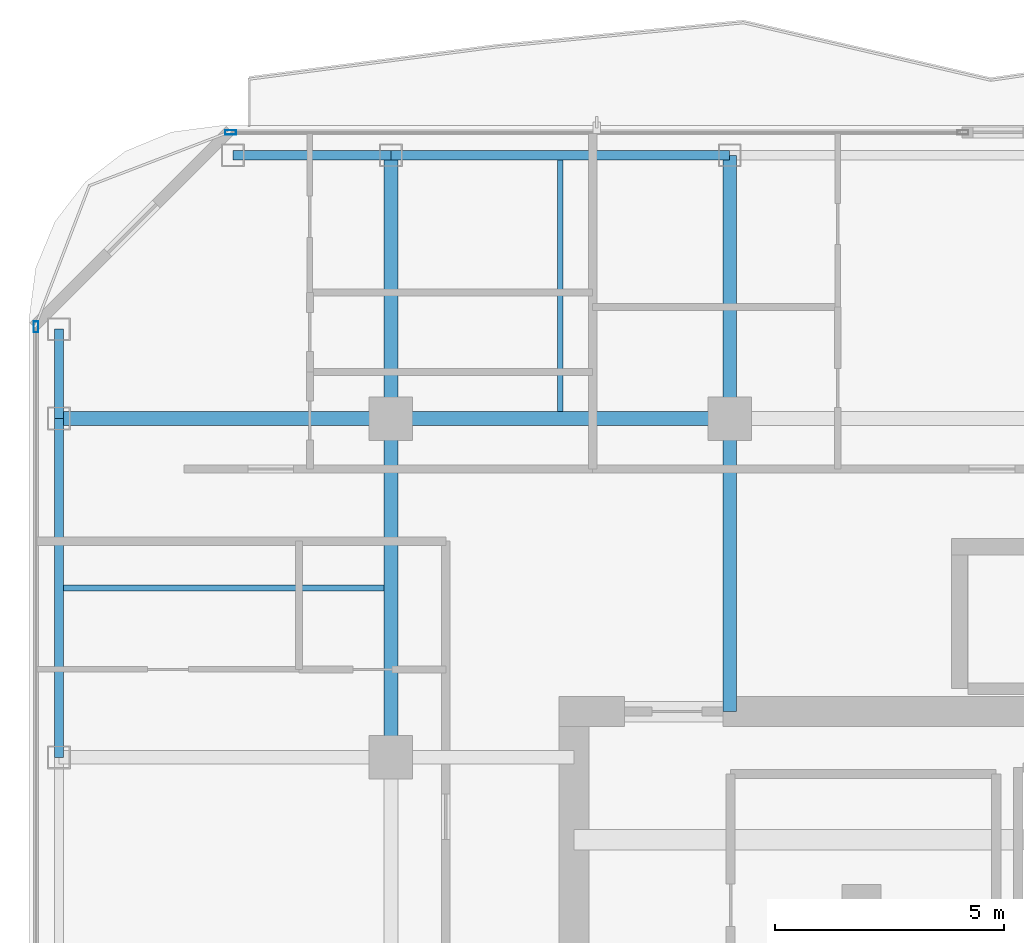
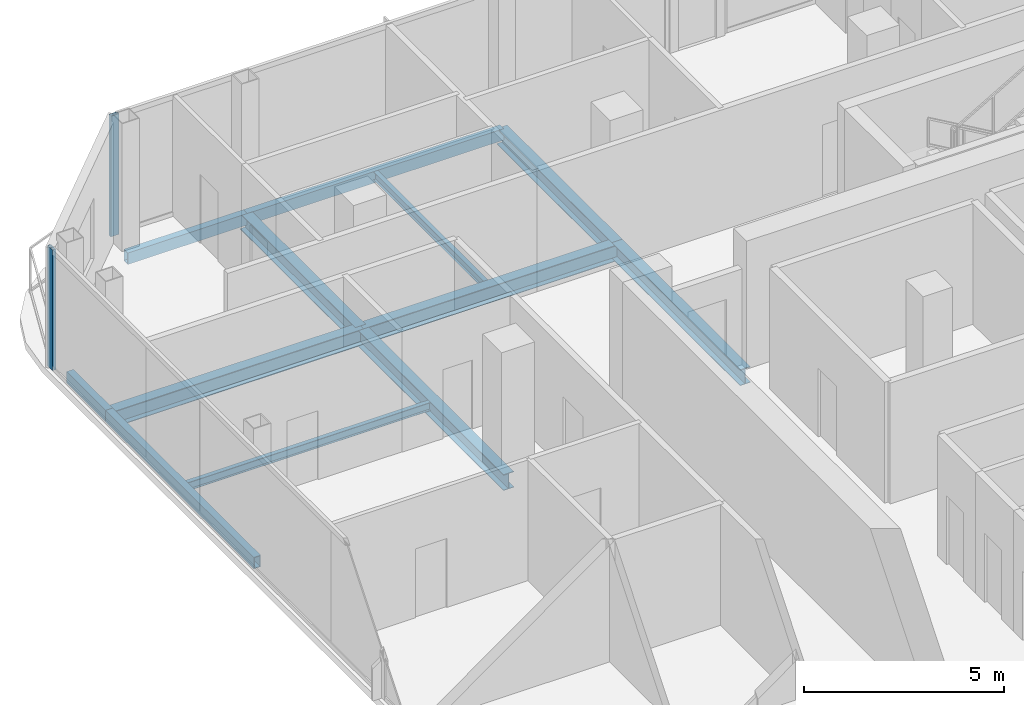
# One storey, part 11 of 26: 12 beams, 2 members, 2 elements without a shape of their own.
"""IFC4 building model written with IfcOpenShell, lengths in metres."""

from ifc_helpers import new_model, si_unit, direction, frame, origin, origin_2d, place, context, subcontext, project, spatial, hollow_rectangle, i_section, extrude, material, layer, layer_set, material_profile, profile_set, type_object, element, aggregate, save


model = new_model("IFC4")

# Units and contexts
model_context = context("Model", 3, precision=1e-05, world=origin(), true_north=direction((0.0, 1.0)))
body_context = subcontext(model_context, "Body", "Model", "MODEL_VIEW")
ifc_project = project(units=[si_unit("LENGTHUNIT", "METRE"), si_unit("AREAUNIT", "SQUARE_METRE"), si_unit("VOLUMEUNIT", "CUBIC_METRE"), si_unit("PLANEANGLEUNIT", "RADIAN"), si_unit("MASSUNIT", "GRAM", prefix="KILO")], contexts=[model_context])

# Site, building, storey
site_placement = place(None, origin())
site = spatial("IfcSite", under=ifc_project, at=site_placement, CompositionType="ELEMENT")
building_placement = place(site_placement, origin())
building = spatial("IfcBuilding", under=site, at=building_placement, Name="Khorvyn Point Tower", CompositionType="ELEMENT")
storey_placement = place(building_placement, frame((0.0, 0.0, 289.800048828125)))
storey = spatial("IfcBuildingStorey", under=building, at=storey_placement, Name="L71", CompositionType="ELEMENT", Elevation=289.800048828125)

# Curtain wall, member
ifc_material_1 = material(Name="Anodised aluminium 6063-T6 and laminated Low-E glass", Category="aluminium")
ifc_layer = layer(ifc_material_1, 0.18994140625)
ifc_layer_set = layer_set([ifc_layer], Name="Stick-Built High-Wind Curtain Wall CW-SYS-04")
curtain_wall_type = type_object("IfcCurtainWallType", Name="Stick-Built High-Wind Curtain Wall CW-SYS-04", PredefinedType="NOTDEFINED", material=ifc_layer_set)
curtain_wall_1_placement = place(storey_placement, origin())
curtain_wall_1 = element("IfcCurtainWall", 1, at=curtain_wall_1_placement, inside=storey, type_object=curtain_wall_type, Name="Curtain Wall", PredefinedType="NOTDEFINED")
ifc_material_2 = material(Name="Anodised aluminium 6063-T6", Category="aluminium")
ifc_material_profile_1 = material_profile(ifc_material_2, hollow_rectangle(XDim=0.10009765625, YDim=0.239990234375, WallThickness=0.0048828125, at=origin_2d()))
ifc_profile_set_1 = profile_set([ifc_material_profile_1], Name="Anodised aluminium 6063-T6 ALU-MUL-100x240")
member_type = type_object("IfcMemberType", Name="Anodised Aluminium 6063-T6 Mullion ALU-MUL-100x240", PredefinedType="MULLION", material=ifc_profile_set_1)
member_1_placement = place(storey_placement, frame((-18.300048828125, 21.050048828125, 0.0), z_axis=(0.0, 0.0, 1.0), x_axis=(0.0, 1.0, 0.0)))
member_1 = element("IfcMember", 2, at=member_1_placement, type_object=member_type, Name="Transom", PredefinedType="MULLION", context=body_context, shape_type="SweptSolid", body=[
    extrude(hollow_rectangle(XDim=0.10009765625, YDim=0.239990234375, WallThickness=0.0048828125, at=origin_2d()), origin(), (0.0, 0.0, 1.0), 3.679931640625),
])
aggregate(curtain_wall_1, [member_1])

curtain_wall_2_placement = place(storey_placement, origin())
curtain_wall_2 = element("IfcCurtainWall", 3, at=curtain_wall_2_placement, inside=storey, type_object=curtain_wall_type, Name="Curtain Wall", PredefinedType="NOTDEFINED")
member_2_placement = place(storey_placement, frame((-22.550048828125, 16.800048828125, 0.0), z_axis=(0.0, 0.0, 1.0), x_axis=(-1.0, 0.0, 0.0)))
member_2 = element("IfcMember", 4, at=member_2_placement, type_object=member_type, Name="Transom", PredefinedType="MULLION", context=body_context, shape_type="SweptSolid", body=[
    extrude(hollow_rectangle(XDim=0.10009765625, YDim=0.239990234375, WallThickness=0.0048828125, at=origin_2d()), origin(), (0.0, 0.0, 1.0), 3.679931640625),
])
aggregate(curtain_wall_2, [member_2])

# Beams
ifc_material_3 = material(Name="Steel S355", Category="steel")
ifc_material_profile_2 = material_profile(ifc_material_3, i_section(OverallWidth=0.125, OverallDepth=0.25, WebThickness=0.006103515625, FlangeThickness=0.009033203125, at=origin_2d()))
ifc_profile_set_2 = profile_set([ifc_material_profile_2], Name="Steel S355 H250x125x6x9")
beam_type_1 = type_object("IfcBeamType", Name="Steel S355 Joist H250x125x6x9", PredefinedType="JOIST", material=ifc_profile_set_2)
beam_1_placement = place(storey_placement, frame((-21.949951171875, 11.10009765625, -0.344970703125), z_axis=(1.0, 0.0, 0.0), x_axis=(0.0, 1.0, 0.0)))
element("IfcBeam", 5, at=beam_1_placement, inside=storey, type_object=beam_type_1, Name="Beam", PredefinedType="JOIST", context=body_context, shape_type="SweptSolid", body=[
    extrude(i_section(OverallWidth=0.125, OverallDepth=0.25, WebThickness=0.006103515625, FlangeThickness=0.009033203125, at=origin_2d()), origin(), (0.0, 0.0, 1.0), 7.0),
])
beam_2_placement = place(storey_placement, frame((-11.10009765625, 14.949951171875, -0.344970703125), z_axis=(0.0, 1.0, 0.0), x_axis=(-1.0, 0.0, 0.0)))
element("IfcBeam", 6, at=beam_2_placement, inside=storey, type_object=beam_type_1, Name="Beam", PredefinedType="JOIST", context=body_context, shape_type="SweptSolid", body=[
    extrude(i_section(OverallWidth=0.125, OverallDepth=0.25, WebThickness=0.006103515625, FlangeThickness=0.009033203125, at=origin_2d()), origin(), (0.0, 0.0, 1.0), 5.5),
])
ifc_material_profile_3 = material_profile(ifc_material_3, i_section(OverallWidth=0.300048828125, OverallDepth=0.488037109375, WebThickness=0.010986328125, FlangeThickness=0.01806640625, at=origin_2d()))
ifc_profile_set_3 = profile_set([ifc_material_profile_3], Name="Steel S355 H488x300x11x18")
beam_type_2 = type_object("IfcBeamType", Name="Steel S355 Spandrel H488x300x11x18", PredefinedType="SPANDREL", material=ifc_profile_set_3)
beam_3_placement = place(storey_placement, frame((-22.050048828125, 14.800048828125, -0.464111328125), z_axis=(1.0, 0.0, 0.0), x_axis=(0.0, 1.0, 0.0)))
element("IfcBeam", 7, at=beam_3_placement, inside=storey, type_object=beam_type_2, Name="Beam", PredefinedType="SPANDREL", context=body_context, shape_type="SweptSolid", body=[
    extrude(i_section(OverallWidth=0.300048828125, OverallDepth=0.488037109375, WebThickness=0.010986328125, FlangeThickness=0.01806640625, at=origin_2d()), origin(), (0.0, 0.0, 1.0), 7.25),
])
for number, where, z_axis, x_axis, name in (
    (8, (-14.800048828125, 14.800048828125, -0.464111328125), (1.0, 0.0, 0.0), (0.0, 1.0, 0.0), "Beam"),
    (9, (-14.800048828125, 7.39990234375, -0.464111328125), (0.0, 1.0, 0.0), (-1.0, 0.0, 0.0), "Beam"),
):
    element("IfcBeam", number, at=place(storey_placement, frame(where, z_axis=z_axis, x_axis=x_axis)), inside=storey, type_object=beam_type_2, Name=name, PredefinedType="SPANDREL", context=body_context, shape_type="SweptSolid", body=[
        extrude(i_section(OverallWidth=0.300048828125, OverallDepth=0.488037109375, WebThickness=0.010986328125, FlangeThickness=0.01806640625, at=origin_2d()), origin(), (0.0, 0.0, 1.0), 7.400146484375),
    ])
beam_4_placement = place(storey_placement, frame((-14.800048828125, 14.800048828125, -0.464111328125), z_axis=(0.0, 1.0, 0.0), x_axis=(-1.0, 0.0, 0.0)))
element("IfcBeam", 10, at=beam_4_placement, inside=storey, type_object=beam_type_2, Name="Beam", PredefinedType="SPANDREL", context=body_context, shape_type="SweptSolid", body=[
    extrude(i_section(OverallWidth=0.300048828125, OverallDepth=0.488037109375, WebThickness=0.010986328125, FlangeThickness=0.01806640625, at=origin_2d()), origin(), (0.0, 0.0, 1.0), 5.75),
])
beam_5_placement = place(storey_placement, frame((-7.39990234375, 8.39990234375, -0.464111328125), z_axis=(0.0, 1.0, 0.0), x_axis=(-1.0, 0.0, 0.0)))
element("IfcBeam", 11, at=beam_5_placement, inside=storey, type_object=beam_type_2, Name="Beam", PredefinedType="SPANDREL", context=body_context, shape_type="SweptSolid", body=[
    extrude(i_section(OverallWidth=0.300048828125, OverallDepth=0.488037109375, WebThickness=0.010986328125, FlangeThickness=0.01806640625, at=origin_2d()), origin(), (0.0, 0.0, 1.0), 6.400146484375),
])
beam_6_placement = place(storey_placement, frame((-7.39990234375, 14.800048828125, -0.464111328125), z_axis=(0.0, 1.0, 0.0), x_axis=(-1.0, 0.0, 0.0)))
element("IfcBeam", 12, at=beam_6_placement, inside=storey, type_object=beam_type_2, Name="Beam", PredefinedType="SPANDREL", context=body_context, shape_type="SweptSolid", body=[
    extrude(i_section(OverallWidth=0.300048828125, OverallDepth=0.488037109375, WebThickness=0.010986328125, FlangeThickness=0.01806640625, at=origin_2d()), origin(), (0.0, 0.0, 1.0), 5.75),
])
ifc_material_profile_4 = material_profile(ifc_material_3, hollow_rectangle(XDim=0.199951171875, YDim=0.35009765625, WallThickness=0.013916015625, at=origin_2d()))
ifc_profile_set_4 = profile_set([ifc_material_profile_4], Name="Steel S355 RHS350x200x14")
beam_type_3 = type_object("IfcBeamType", Name="Steel S355 Spandrel RHS350x200x14", PredefinedType="SPANDREL", material=ifc_profile_set_4)
beam_7_placement = place(storey_placement, frame((-18.25, 20.550048828125, -0.39501953125), z_axis=(1.0, 0.0, 0.0), x_axis=(0.0, 1.0, 0.0)))
element("IfcBeam", 13, at=beam_7_placement, inside=storey, type_object=beam_type_3, Name="Beam", PredefinedType="SPANDREL", context=body_context, shape_type="SweptSolid", body=[
    extrude(hollow_rectangle(XDim=0.199951171875, YDim=0.35009765625, WallThickness=0.013916015625, at=origin_2d()), origin(), (0.0, 0.0, 1.0), 3.449951171875),
])
for number, where, z_axis, x_axis, name in (
    (14, (-14.800048828125, 20.550048828125, -0.39501953125), (1.0, 0.0, 0.0), (0.0, 1.0, 0.0), "Beam"),
    (15, (-22.050048828125, 7.39990234375, -0.39501953125), (0.0, 1.0, 0.0), (-1.0, 0.0, 0.0), "Beam"),
):
    element("IfcBeam", number, at=place(storey_placement, frame(where, z_axis=z_axis, x_axis=x_axis)), inside=storey, type_object=beam_type_3, Name=name, PredefinedType="SPANDREL", context=body_context, shape_type="SweptSolid", body=[
        extrude(hollow_rectangle(XDim=0.199951171875, YDim=0.35009765625, WallThickness=0.013916015625, at=origin_2d()), origin(), (0.0, 0.0, 1.0), 7.400146484375),
    ])
beam_8_placement = place(storey_placement, frame((-22.050048828125, 14.800048828125, -0.39501953125), z_axis=(0.0, 1.0, 0.0), x_axis=(-1.0, 0.0, 0.0)))
element("IfcBeam", 16, at=beam_8_placement, inside=storey, type_object=beam_type_3, Name="Beam", PredefinedType="SPANDREL", context=body_context, shape_type="SweptSolid", body=[
    extrude(hollow_rectangle(XDim=0.199951171875, YDim=0.35009765625, WallThickness=0.013916015625, at=origin_2d()), origin(), (0.0, 0.0, 1.0), 1.949951171875),
])

save(model, "model.ifc")
